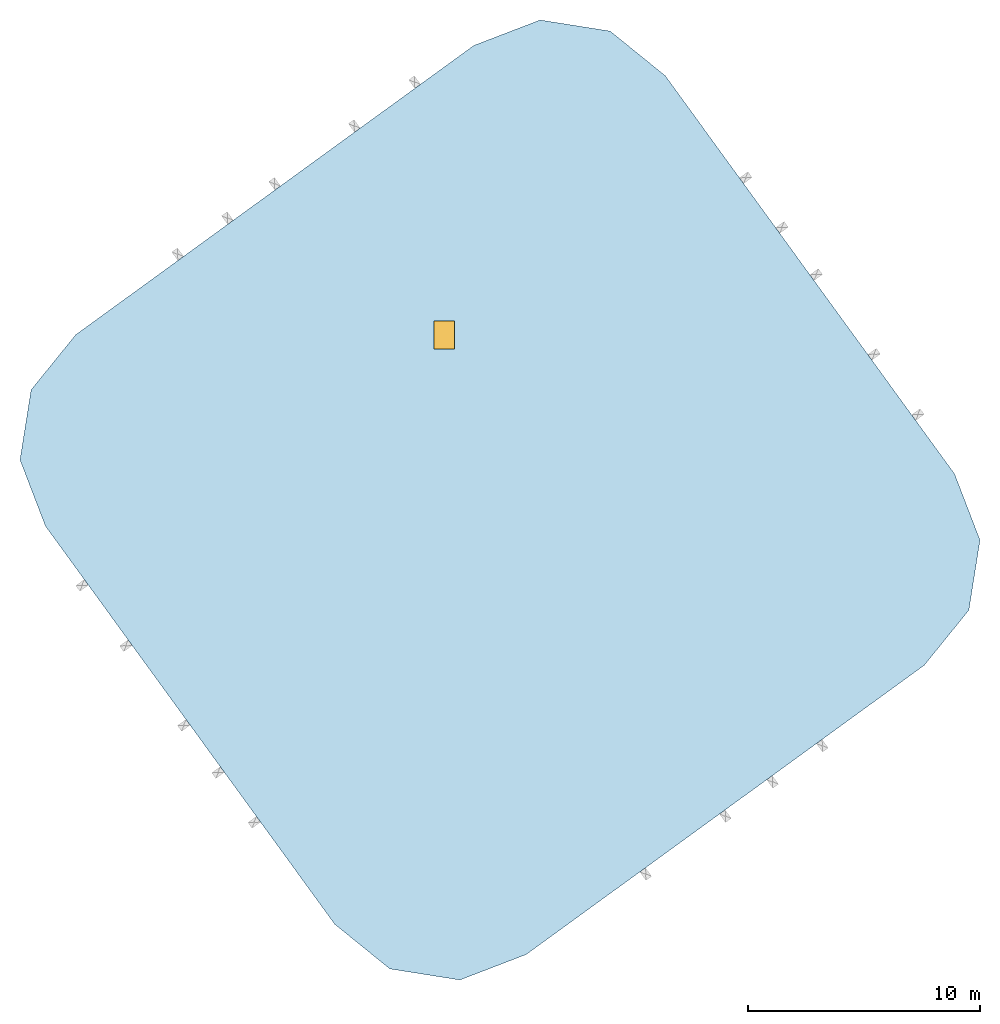
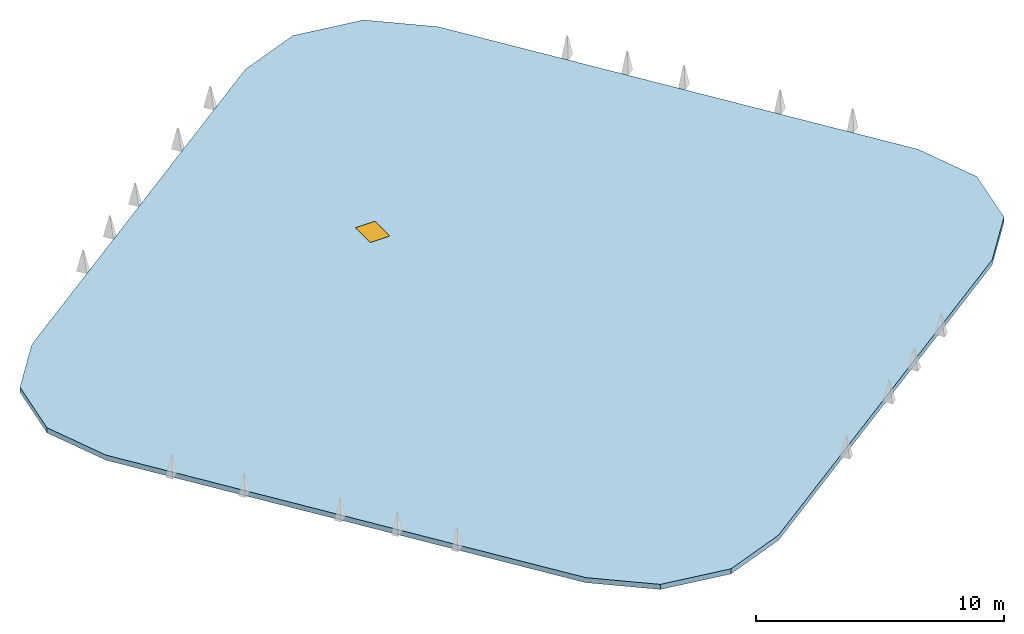
# One storey, part 1 of 2: 1 slab, 1 window, 1 opening.
"""IFC4 building model written with IfcOpenShell, lengths in metres."""

from ifc_helpers import new_model, si_unit, direction, frame, origin, origin_2d, place, context, subcontext, project, spatial, polyline, rectangle, outline, extrude, material, layer, layer_set, type_object, element, fill, save


model = new_model("IFC4")

# Units and contexts
model_context = context("Model", 3, precision=1e-05, world=origin(), true_north=direction((0.0, 1.0)))
body_context = subcontext(model_context, "Body", "Model", "MODEL_VIEW")
ifc_project = project(units=[si_unit("LENGTHUNIT", "METRE"), si_unit("AREAUNIT", "SQUARE_METRE"), si_unit("VOLUMEUNIT", "CUBIC_METRE"), si_unit("PLANEANGLEUNIT", "RADIAN"), si_unit("MASSUNIT", "GRAM", prefix="KILO")], contexts=[model_context])

# Site, building, storey
site_placement = place(None, origin())
site = spatial("IfcSite", under=ifc_project, at=site_placement, CompositionType="ELEMENT")
building_placement = place(site_placement, origin())
building = spatial("IfcBuilding", under=site, at=building_placement, Name="Nakasero Lantern House", CompositionType="ELEMENT")
storey_placement = place(building_placement, frame((0.0, 0.0, 310.39990234375)))
storey = spatial("IfcBuildingStorey", under=building, at=storey_placement, Name="ROOF", CompositionType="ELEMENT", Elevation=310.39990234375)

# Slab, opening, window
ifc_material_1 = material(Name="Concrete C35/45", Category="concrete")
ifc_layer = layer(ifc_material_1, 0.25)
ifc_layer_set = layer_set([ifc_layer], Name="Main roof 250")
slab_type = type_object("IfcSlabType", Name="Main roof 250", PredefinedType="ROOF", material=ifc_layer_set)
slab_placement = place(storey_placement, frame((0.0, 0.0, -0.25)))
slab = element("IfcSlab", 1, at=slab_placement, inside=storey, type_object=slab_type, Name="Main roof", PredefinedType="ROOF", context=body_context, shape_type="SweptSolid", body=[
    extrude(outline(polyline([(7.1181640625, 18.27392578125), (4.744873046875, 20.196044921875), (1.728271484375, 20.673828125), (-1.122802734375, 19.579345703125), (-18.27392578125, 7.1181640625), (-20.196044921875, 4.744873046875), (-20.673828125, 1.728271484375), (-19.579345703125, -1.122802734375), (-7.1181640625, -18.27392578125), (-4.744873046875, -20.196044921875), (-1.728271484375, -20.673828125), (1.122802734375, -19.579345703125), (18.27392578125, -7.1181640625), (20.196044921875, -4.744873046875), (20.673828125, -1.728271484375), (19.579345703125, 1.122802734375), (7.1181640625, 18.27392578125)])), origin(), (0.0, 0.0, 1.0), 0.25),
])
opening_placement = place(slab_placement, frame((-2.39990234375, 7.10009765625, 0.0)))
opening = element("IfcOpeningElement", 2, at=opening_placement, cuts=slab, Name="Opening RH1", PredefinedType="OPENING", context=body_context, shape_type="SweptSolid", body=[
    extrude(rectangle(XDim=0.89990234375, YDim=1.199951171875, at=origin_2d()), origin(), (0.0, 0.0, 1.0), 0.25),
])
ifc_material_2 = material(Name="Aluminium 6063-T6", Category="aluminium")
window_type = type_object("IfcWindowType", Name="Roof access hatch 900x1200", PartitioningType="SINGLE_PANEL", PredefinedType="SKYLIGHT", material=ifc_material_2)
window_placement = place(opening_placement, frame((0.0, 0.0, 0.199951171875)))
window = element("IfcWindow", 3, at=window_placement, inside=storey, type_object=window_type, Name="Roof access hatch", OverallHeight=1.199951171875, OverallWidth=0.89990234375, PartitioningType="SINGLE_PANEL", PredefinedType="SKYLIGHT", context=body_context, shape_type="SweptSolid", body=[
    extrude(rectangle(XDim=0.89990234375, YDim=1.199951171875, at=origin_2d()), origin(), (0.0, 0.0, 1.0), 0.050048828125),
])
fill(opening, window)

save(model, "model.ifc")
